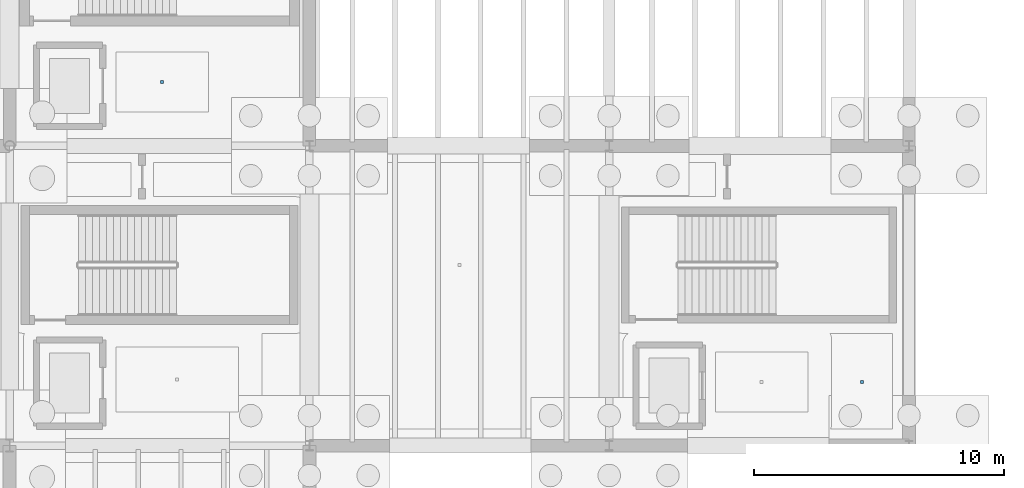
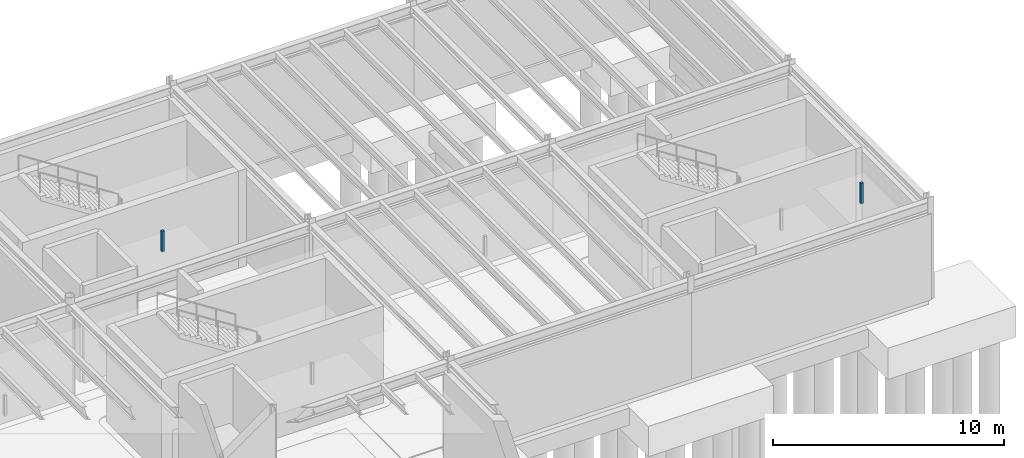
# One storey, part 47 of 67: 2 discrete accessories.
"""IFC4 building model written with IfcOpenShell, lengths in metres."""

from ifc_helpers import new_model, si_unit, direction, frame, origin, origin_2d, place, context, subcontext, project, spatial, rectangle, extrude, material, type_object, element, save


model = new_model("IFC4")

# Units and contexts
model_context = context("Model", 3, precision=1e-05, world=origin(), true_north=direction((0.0, 1.0)))
body_context = subcontext(model_context, "Body", "Model", "MODEL_VIEW")
ifc_project = project(units=[si_unit("LENGTHUNIT", "METRE"), si_unit("AREAUNIT", "SQUARE_METRE"), si_unit("VOLUMEUNIT", "CUBIC_METRE"), si_unit("PLANEANGLEUNIT", "RADIAN"), si_unit("MASSUNIT", "GRAM", prefix="KILO")], contexts=[model_context])

# Site, building, storey
site_placement = place(None, origin())
site = spatial("IfcSite", under=ifc_project, at=site_placement, CompositionType="ELEMENT")
building_placement = place(site_placement, origin())
building = spatial("IfcBuilding", under=site, at=building_placement, Name="Zlatogorsky Bluff Art Gallery", CompositionType="ELEMENT")
storey_placement = place(building_placement, frame((0.0, 0.0, -5.39990234375)))
storey = spatial("IfcBuildingStorey", under=building, at=storey_placement, Name="B1", CompositionType="ELEMENT", Elevation=-5.39990234375)

# Discrete accessories
ifc_material = material(Name="Steel S355", Category="steel")
discrete_accessory_type = type_object("IfcDiscreteAccessoryType", Name="Stainless Facade Fin Bracket BRK-01", PredefinedType="BRACKET", material=ifc_material)
for number, where, z_axis, x_axis, name in (
    (1, (126.10009765625, 98.550048828125, 4.0546875), (0.0, 0.0, 1.0), (1.0, 0.0, 0.0), "Acoustic ceiling suspension hanger B1-PL-1-LB"),
    (2, (154.114990234375, 86.550048828125, 4.0546875), (0.0, 0.0, 1.0), (1.0, 0.0, 0.0), "Acoustic ceiling suspension hanger B1-S3-14"),
):
    element("IfcDiscreteAccessory", number, at=place(storey_placement, frame(where, z_axis=z_axis, x_axis=x_axis)), inside=storey, type_object=discrete_accessory_type, Name=name, PredefinedType="BRACKET", context=body_context, shape_type="SweptSolid", body=[
        extrude(rectangle(XDim=0.1201171875, YDim=0.1201171875, at=origin_2d()), origin(), (0.0, 0.0, 1.0), 1.090087890625),
    ])

save(model, "model.ifc")
